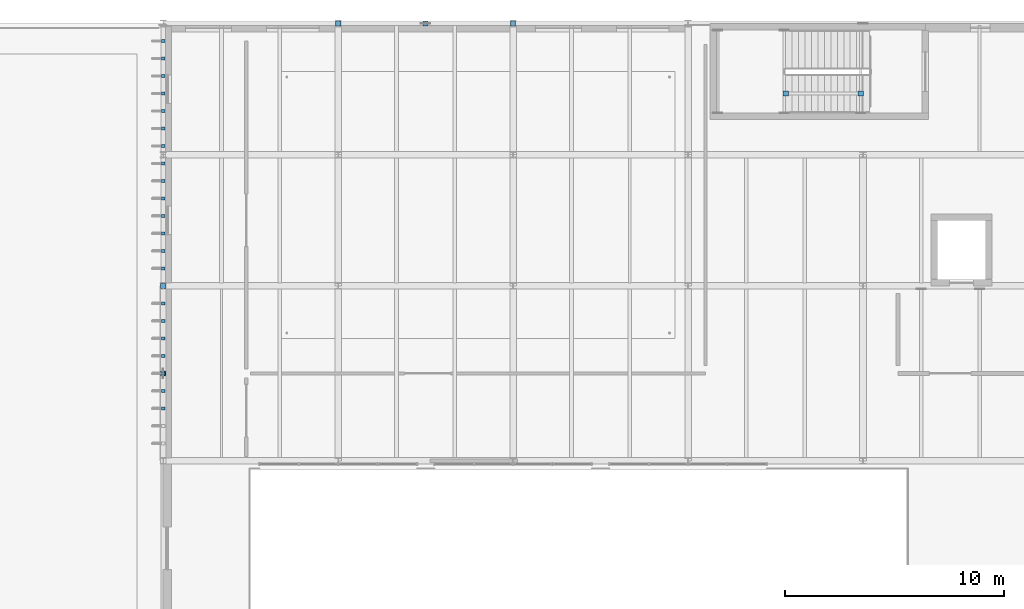
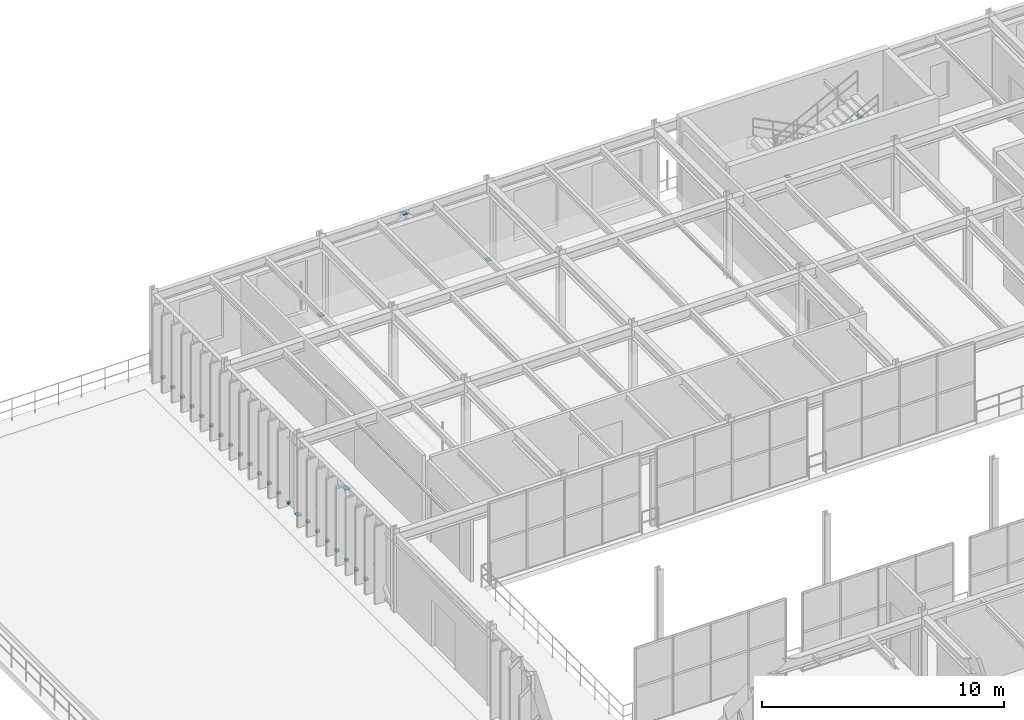
# One storey, part 107 of 122: 28 discrete accessories.
"""IFC4 building model written with IfcOpenShell, lengths in metres."""

from ifc_helpers import new_model, si_unit, direction, frame, origin, origin_2d, place, context, subcontext, project, spatial, rectangle, extrude, material, type_object, element, save


model = new_model("IFC4")

# Units and contexts
model_context = context("Model", 3, precision=1e-05, world=origin(), true_north=direction((0.0, 1.0)))
body_context = subcontext(model_context, "Body", "Model", "MODEL_VIEW")
ifc_project = project(units=[si_unit("LENGTHUNIT", "METRE"), si_unit("AREAUNIT", "SQUARE_METRE"), si_unit("VOLUMEUNIT", "CUBIC_METRE"), si_unit("PLANEANGLEUNIT", "RADIAN"), si_unit("MASSUNIT", "GRAM", prefix="KILO")], contexts=[model_context])

# Site, building, storey
site_placement = place(None, origin())
site = spatial("IfcSite", under=ifc_project, at=site_placement, CompositionType="ELEMENT")
building_placement = place(site_placement, origin())
building = spatial("IfcBuilding", under=site, at=building_placement, Name="Sundkrona Museum", CompositionType="ELEMENT")
storey_placement = place(building_placement, frame((0.0, 0.0, 5.39990234375)))
storey = spatial("IfcBuildingStorey", under=building, at=storey_placement, Name="L01", CompositionType="ELEMENT", Elevation=5.39990234375)

# Discrete accessories
ifc_material = material(Name="Stainless Steel EN 1.4404 Cleat", Category="steel")
discrete_accessory_type = type_object("IfcDiscreteAccessoryType", Name="BRK-FIN-01", PredefinedType="BRACKET", material=ifc_material)
for number, where, z_axis, x_axis, name in (
    (1, (24.0, 114.0, -0.012451171875), (0.0, 0.0, 1.0), (1.0, 0.0, 0.0), "Brace and Strut End Connection Plate BR-L01-015A-1"),
    (2, (28.0, 114.0, 3.7275390625), (0.0, 0.0, 1.0), (1.0, 0.0, 0.0), "Brace and Strut End Connection Plate BR-L01-015A-2"),
    (3, (32.0, 114.0, -0.012451171875), (0.0, 0.0, 1.0), (1.0, 0.0, 0.0), "Brace and Strut End Connection Plate BR-L01-015B-1"),
    (4, (16.0, 98.0, 3.7275390625), (0.0, 0.0, 1.0), (1.0, 0.0, 0.0), "Brace and Strut End Connection Plate BR-L01-022A-2"),
    (5, (16.0, 102.0, -0.012451171875), (0.0, 0.0, 1.0), (1.0, 0.0, 0.0), "Brace and Strut End Connection Plate BR-L01-022B-1"),
    (6, (44.465087890625, 110.800048828125, 1.767578125), (0.0, 0.0, 1.0), (1.0, 0.0, 0.0), "Brace and Strut End Connection Plate RK-ST-ST-3-L01-2-1"),
    (7, (47.89990234375, 110.800048828125, 3.60107421875), (0.0, 0.0, 1.0), (1.0, 0.0, 0.0), "Brace and Strut End Connection Plate RK-ST-ST-3-L01-2-2"),
):
    element("IfcDiscreteAccessory", number, at=place(storey_placement, frame(where, z_axis=z_axis, x_axis=x_axis)), inside=storey, type_object=discrete_accessory_type, Name=name, PredefinedType="BRACKET", context=body_context, shape_type="SweptSolid", body=[
        extrude(rectangle(XDim=0.239990234375, YDim=0.239990234375, at=origin_2d()), origin(), (0.0, 0.0, 1.0), 0.02490234375),
    ])
for number, where, z_axis, x_axis, name in (
    (8, (16.0, 96.39990234375, 0.06005859375), (0.0, 0.0, 1.0), (1.0, 0.0, 0.0), "L01 Fin Bracket W-156"),
    (9, (16.0, 97.199951171875, 0.06005859375), (0.0, 0.0, 1.0), (1.0, 0.0, 0.0), "L01 Fin Bracket W-157"),
    (10, (16.0, 98.0, 0.06005859375), (0.0, 0.0, 1.0), (1.0, 0.0, 0.0), "L01 Fin Bracket W-158"),
    (11, (16.0, 98.800048828125, 0.06005859375), (0.0, 0.0, 1.0), (1.0, 0.0, 0.0), "L01 Fin Bracket W-159"),
    (12, (16.0, 99.60009765625, 0.06005859375), (0.0, 0.0, 1.0), (1.0, 0.0, 0.0), "L01 Fin Bracket W-160"),
    (13, (16.0, 100.39990234375, 0.06005859375), (0.0, 0.0, 1.0), (1.0, 0.0, 0.0), "L01 Fin Bracket W-161"),
    (14, (16.0, 101.199951171875, 0.06005859375), (0.0, 0.0, 1.0), (1.0, 0.0, 0.0), "L01 Fin Bracket W-162"),
    (15, (16.0, 102.800048828125, 0.06005859375), (0.0, 0.0, 1.0), (1.0, 0.0, 0.0), "L01 Fin Bracket W-163"),
    (16, (16.0, 103.60009765625, 0.06005859375), (0.0, 0.0, 1.0), (1.0, 0.0, 0.0), "L01 Fin Bracket W-164"),
    (17, (16.0, 104.39990234375, 0.06005859375), (0.0, 0.0, 1.0), (1.0, 0.0, 0.0), "L01 Fin Bracket W-165"),
    (18, (16.0, 105.199951171875, 0.06005859375), (0.0, 0.0, 1.0), (1.0, 0.0, 0.0), "L01 Fin Bracket W-166"),
    (19, (16.0, 106.0, 0.06005859375), (0.0, 0.0, 1.0), (1.0, 0.0, 0.0), "L01 Fin Bracket W-167"),
    (20, (16.0, 106.800048828125, 0.06005859375), (0.0, 0.0, 1.0), (1.0, 0.0, 0.0), "L01 Fin Bracket W-168"),
    (21, (16.0, 107.60009765625, 0.06005859375), (0.0, 0.0, 1.0), (1.0, 0.0, 0.0), "L01 Fin Bracket W-169"),
    (22, (16.0, 108.39990234375, 0.06005859375), (0.0, 0.0, 1.0), (1.0, 0.0, 0.0), "L01 Fin Bracket W-170"),
    (23, (16.0, 109.199951171875, 0.06005859375), (0.0, 0.0, 1.0), (1.0, 0.0, 0.0), "L01 Fin Bracket W-171"),
    (24, (16.0, 110.0, 0.06005859375), (0.0, 0.0, 1.0), (1.0, 0.0, 0.0), "L01 Fin Bracket W-172"),
    (25, (16.0, 110.800048828125, 0.06005859375), (0.0, 0.0, 1.0), (1.0, 0.0, 0.0), "L01 Fin Bracket W-173"),
    (26, (16.0, 111.60009765625, 0.06005859375), (0.0, 0.0, 1.0), (1.0, 0.0, 0.0), "L01 Fin Bracket W-174"),
    (27, (16.0, 112.39990234375, 0.06005859375), (0.0, 0.0, 1.0), (1.0, 0.0, 0.0), "L01 Fin Bracket W-175"),
    (28, (16.0, 113.199951171875, 0.06005859375), (0.0, 0.0, 1.0), (1.0, 0.0, 0.0), "L01 Fin Bracket W-176"),
):
    element("IfcDiscreteAccessory", number, at=place(storey_placement, frame(where, z_axis=z_axis, x_axis=x_axis)), inside=storey, type_object=discrete_accessory_type, Name=name, PredefinedType="BRACKET", context=body_context, shape_type="SweptSolid", body=[
        extrude(rectangle(XDim=0.159912109375, YDim=0.139892578125, at=origin_2d()), origin(), (0.0, 0.0, 1.0), 0.1201171875),
    ])

save(model, "model.ifc")
